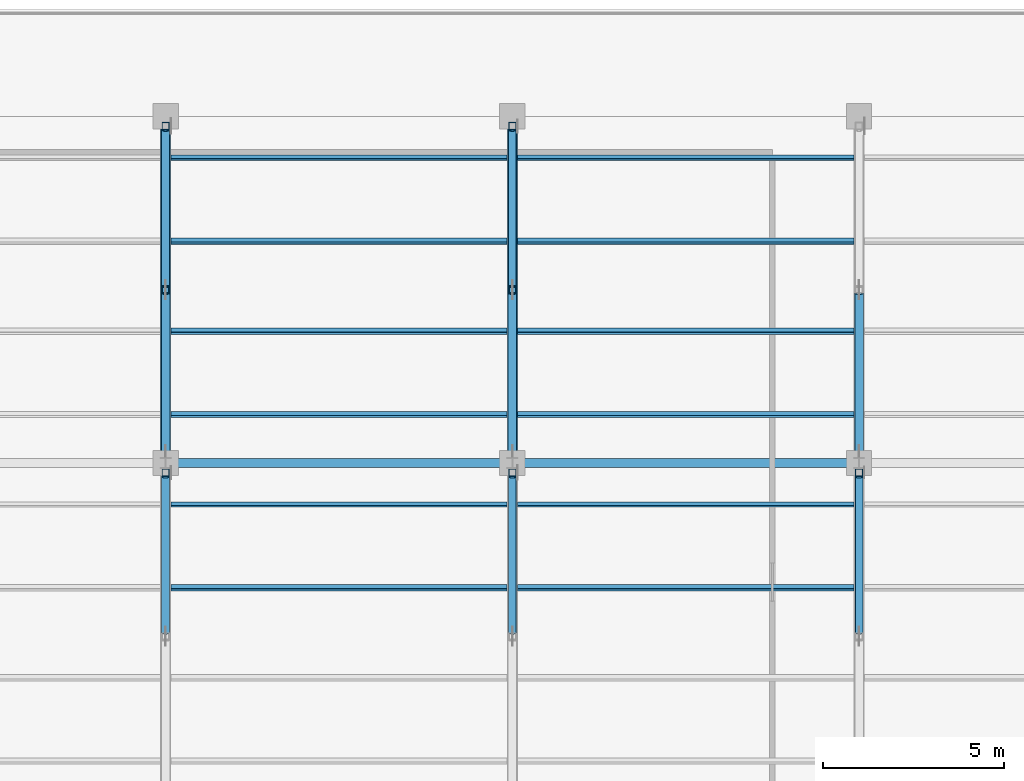
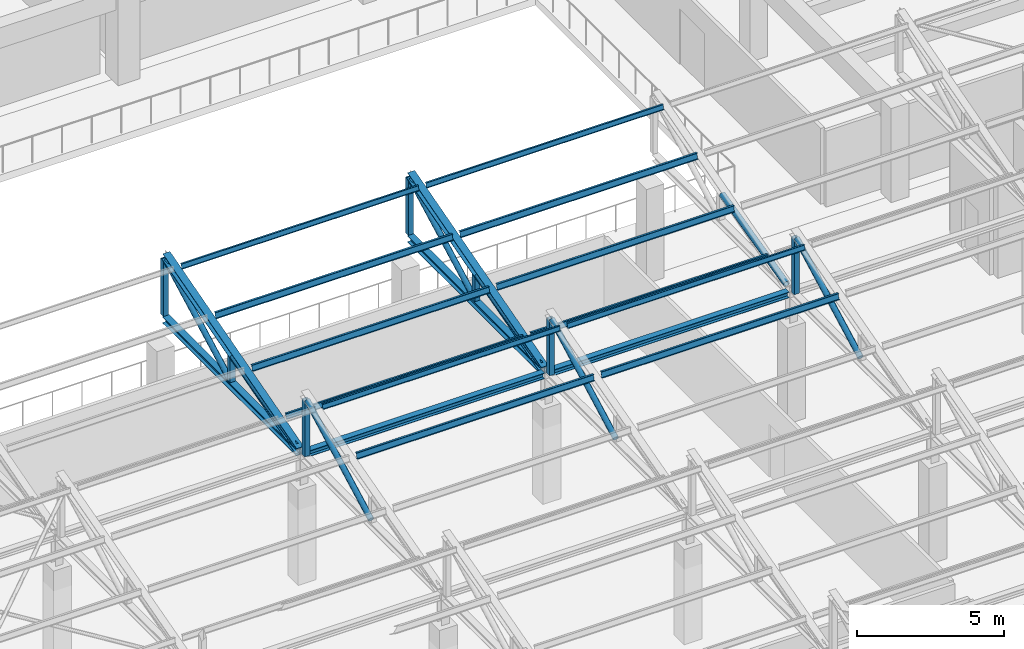
# One storey, part 23 of 71: 31 members, 2 beams.
"""IFC4 building model written with IfcOpenShell, lengths in metres."""

from ifc_helpers import new_model, si_unit, direction, frame, origin, origin_2d, place, context, subcontext, project, spatial, hollow_rectangle, hollow_circle, i_section, extrude, material, material_profile, profile_set, type_object, element, save


model = new_model("IFC4")

# Units and contexts
model_context = context("Model", 3, precision=1e-05, world=origin(), true_north=direction((0.0, 1.0)))
body_context = subcontext(model_context, "Body", "Model", "MODEL_VIEW")
ifc_project = project(units=[si_unit("LENGTHUNIT", "METRE"), si_unit("AREAUNIT", "SQUARE_METRE"), si_unit("VOLUMEUNIT", "CUBIC_METRE"), si_unit("PLANEANGLEUNIT", "RADIAN"), si_unit("MASSUNIT", "GRAM", prefix="KILO")], contexts=[model_context])

# Site, building, storey
site_placement = place(None, origin())
site = spatial("IfcSite", under=ifc_project, at=site_placement, CompositionType="ELEMENT")
building_placement = place(site_placement, origin())
building = spatial("IfcBuilding", under=site, at=building_placement, Name="Bempovik Park Faculty of Sciences", CompositionType="ELEMENT")
storey_placement = place(building_placement, frame((0.0, 0.0, 14.10009765625)))
storey = spatial("IfcBuildingStorey", under=building, at=storey_placement, Name="L03", CompositionType="ELEMENT", Elevation=14.10009765625)

# Beams
ifc_material = material(Name="Steel S355", Category="steel")
ifc_material_profile_1 = material_profile(ifc_material, i_section(OverallWidth=0.239990234375, OverallDepth=0.239990234375, WebThickness=0.010009765625, FlangeThickness=0.01708984375, at=origin_2d()), Name="HEB 240")
ifc_profile_set_1 = profile_set([ifc_material_profile_1], Name="Steel S355")
beam_type = type_object("IfcBeamType", Name="B-042 HEB 240", PredefinedType="BEAM", material=ifc_profile_set_1)
beam_1_placement = place(storey_placement, frame((79.35009765625, 58.199951171875, 5.14990234375), z_axis=(1.0, 0.0, 0.0), x_axis=(0.0, 1.0, 0.0)))
element("IfcBeam", 1, at=beam_1_placement, inside=storey, type_object=beam_type, Name="Sawtooth Valley Tie Beam V1-B5 (79.2-88.8)", PredefinedType="BEAM", context=body_context, shape_type="SweptSolid", body=[
    extrude(i_section(OverallWidth=0.239990234375, OverallDepth=0.239990234375, WebThickness=0.010009765625, FlangeThickness=0.01708984375, at=origin_2d()), origin(), (0.0, 0.0, 1.0), 9.2998046875),
])
beam_2_placement = place(storey_placement, frame((88.949951171875, 58.199951171875, 5.14990234375), z_axis=(1.0, 0.0, 0.0), x_axis=(0.0, 1.0, 0.0)))
element("IfcBeam", 2, at=beam_2_placement, inside=storey, type_object=beam_type, Name="Sawtooth Valley Tie Beam V1-B5 (88.8-98.4)", PredefinedType="BEAM", context=body_context, shape_type="SweptSolid", body=[
    extrude(i_section(OverallWidth=0.239990234375, OverallDepth=0.239990234375, WebThickness=0.010009765625, FlangeThickness=0.01708984375, at=origin_2d()), origin(), (0.0, 0.0, 1.0), 9.300048828125),
])

# Members
ifc_material_profile_2 = material_profile(ifc_material, i_section(OverallWidth=0.110107421875, OverallDepth=0.219970703125, WebThickness=0.005859375, FlangeThickness=0.00927734375, at=origin_2d()), Name="IPE 220")
ifc_profile_set_2 = profile_set([ifc_material_profile_2], Name="Steel S355")
member_type_1 = type_object("IfcMemberType", Name="M-18 IPE 220", PredefinedType="PURLIN", material=ifc_profile_set_2)
member_1_placement = place(storey_placement, frame((79.345947265625, 59.5439453125, 5.847412109375), z_axis=(1.0, 0.0, 0.0), x_axis=(0.0, 0.965925826289, -0.258819045103)))
element("IfcMember", 3, at=member_1_placement, inside=storey, type_object=member_type_1, Name="Sawtooth Roof Purlin V1-B5 (79.2-88.8) #1", PredefinedType="PURLIN", context=body_context, shape_type="SweptSolid", body=[
    extrude(i_section(OverallWidth=0.110107421875, OverallDepth=0.219970703125, WebThickness=0.005859375, FlangeThickness=0.00927734375, at=origin_2d()), origin(), (0.0, 0.0, 1.0), 9.30810546875),
])
member_2_placement = place(storey_placement, frame((88.946044921875, 59.5439453125, 5.847412109375), z_axis=(1.0, 0.0, 0.0), x_axis=(0.0, 0.965925826289, -0.258819045103)))
element("IfcMember", 4, at=member_2_placement, inside=storey, type_object=member_type_1, Name="Sawtooth Roof Purlin V1-B5 (88.8-98.4) #1", PredefinedType="PURLIN", context=body_context, shape_type="SweptSolid", body=[
    extrude(i_section(OverallWidth=0.110107421875, OverallDepth=0.219970703125, WebThickness=0.005859375, FlangeThickness=0.00927734375, at=origin_2d()), origin(), (0.0, 0.0, 1.0), 9.307861328125),
])
ifc_material_profile_3 = material_profile(ifc_material, hollow_circle(Radius=0.109619140625, WallThickness=0.010009765625, at=origin_2d()), Name="CHS 219.1x10")
ifc_profile_set_3 = profile_set([ifc_material_profile_3], Name="Steel S355")
member_type_2 = type_object("IfcMemberType", Name="M-22 CHS 219.1x10", PredefinedType="BRACE", material=ifc_profile_set_3)
for number, where, z_axis, x_axis, name in (
    (5, (79.199951171875, 53.5048828125, 5.285888671875), (0.0, 0.882198506662, 0.470877685651), (-1.0, 0.0, 0.0), "Sawtooth Web Diagonal 2 V1-B4 (79.2)"),
    (6, (88.800048828125, 53.5048828125, 5.285888671875), (0.0, 0.882198506662, 0.470877685651), (-1.0, 0.0, 0.0), "Sawtooth Web Diagonal 2 V1-B4 (88.8)"),
    (7, (98.39990234375, 53.5048828125, 5.285888671875), (0.0, 0.882198506662, 0.470877685651), (-1.0, 0.0, 0.0), "Sawtooth Web Diagonal 2 V1-B4 (98.4)"),
):
    element("IfcMember", number, at=place(storey_placement, frame(where, z_axis=z_axis, x_axis=x_axis)), inside=storey, type_object=member_type_2, Name=name, PredefinedType="BRACE", context=body_context, shape_type="SweptSolid", body=[
        extrude(hollow_circle(Radius=0.109619140625, WallThickness=0.010009765625, at=origin_2d()), origin(), (0.0, 0.0, 1.0), 4.90283203125),
    ])
for number, where, z_axis, x_axis, name in (
    (8, (79.199951171875, 63.10498046875, 5.285888671875), (0.0, 0.882187464719, 0.470898372361), (-1.0, 0.0, 0.0), "Sawtooth Web Diagonal 2 V1-B5 (79.2)"),
    (9, (88.800048828125, 63.10498046875, 5.285888671875), (0.0, 0.882187464719, 0.470898372361), (-1.0, 0.0, 0.0), "Sawtooth Web Diagonal 2 V1-B5 (88.8)"),
):
    element("IfcMember", number, at=place(storey_placement, frame(where, z_axis=z_axis, x_axis=x_axis)), inside=storey, type_object=member_type_2, Name=name, PredefinedType="BRACE", context=body_context, shape_type="SweptSolid", body=[
        extrude(hollow_circle(Radius=0.109619140625, WallThickness=0.010009765625, at=origin_2d()), origin(), (0.0, 0.0, 1.0), 4.902587890625),
    ])
ifc_material_profile_4 = material_profile(ifc_material, i_section(OverallWidth=0.280029296875, OverallDepth=0.280029296875, WebThickness=0.010498046875, FlangeThickness=0.01806640625, at=origin_2d()), Name="HEB 280")
ifc_profile_set_4 = profile_set([ifc_material_profile_4], Name="Steel S355")
member_type_3 = type_object("IfcMemberType", Name="M-26 HEB 280", PredefinedType="CHORD", material=ifc_profile_set_4)
for number, where, z_axis, x_axis, name in (
    (10, (79.199951171875, 58.35595703125, 5.212158203125), (0.0, 0.962201828539, 0.272337366434), (-1.0, 0.0, 0.0), "Sawtooth Top Rafter Chord V1-B5 (79.2)"),
    (11, (88.800048828125, 58.35595703125, 5.212158203125), (0.0, 0.962201828539, 0.272337366434), (-1.0, 0.0, 0.0), "Sawtooth Top Rafter Chord V1-B5 (88.8)"),
):
    element("IfcMember", number, at=place(storey_placement, frame(where, z_axis=z_axis, x_axis=x_axis)), inside=storey, type_object=member_type_3, Name=name, PredefinedType="CHORD", context=body_context, shape_type="SweptSolid", body=[
        extrude(i_section(OverallWidth=0.280029296875, OverallDepth=0.280029296875, WebThickness=0.010498046875, FlangeThickness=0.01806640625, at=origin_2d()), origin(), (0.0, 0.0, 1.0), 9.445068359375),
    ])
ifc_material_profile_5 = material_profile(ifc_material, hollow_rectangle(XDim=0.199951171875, YDim=0.199951171875, WallThickness=0.010009765625, at=origin_2d()), Name="SHS 200x200x10")
ifc_profile_set_5 = profile_set([ifc_material_profile_5], Name="Steel S355")
member_type_4 = type_object("IfcMemberType", Name="M-44 SHS 200x200x10", PredefinedType="POST", material=ifc_profile_set_5)
for number, where, z_axis, x_axis, name in (
    (12, (79.199951171875, 57.929931640625, 5.285888671875), (0.0, 0.0, 1.0), (1.0, 0.0, 0.0), "Sawtooth North-Light Post V1-B4 (79.2)"),
    (13, (88.800048828125, 57.929931640625, 5.285888671875), (0.0, 0.0, 1.0), (1.0, 0.0, 0.0), "Sawtooth North-Light Post V1-B4 (88.8)"),
    (14, (98.39990234375, 57.929931640625, 5.285888671875), (0.0, 0.0, 1.0), (1.0, 0.0, 0.0), "Sawtooth North-Light Post V1-B4 (98.4)"),
    (15, (79.199951171875, 67.530029296875, 5.285888671875), (0.0, 0.0, 1.0), (1.0, 0.0, 0.0), "Sawtooth North-Light Post V1-B5 (79.2)"),
):
    element("IfcMember", number, at=place(storey_placement, frame(where, z_axis=z_axis, x_axis=x_axis)), inside=storey, type_object=member_type_4, Name=name, PredefinedType="POST", context=body_context, shape_type="SweptSolid", body=[
        extrude(hollow_rectangle(XDim=0.199951171875, YDim=0.199951171875, WallThickness=0.010009765625, at=origin_2d()), origin(), (0.0, 0.0, 1.0), 2.30859375),
    ])
member_3_placement = place(storey_placement, frame((79.199951171875, 63.0, 5.285888671875), z_axis=(0.0, 0.0, 1.0), x_axis=(1.0, 0.0, 0.0)))
element("IfcMember", 16, at=member_3_placement, inside=storey, type_object=member_type_4, Name="Sawtooth Mid Post V1-B5 (79.2)", PredefinedType="POST", context=body_context, shape_type="SweptSolid", body=[
    extrude(hollow_rectangle(XDim=0.199951171875, YDim=0.199951171875, WallThickness=0.010009765625, at=origin_2d()), origin(), (0.0, 0.0, 1.0), 1.052490234375),
])
member_4_placement = place(storey_placement, frame((88.800048828125, 67.530029296875, 5.285888671875), z_axis=(0.0, 0.0, 1.0), x_axis=(1.0, 0.0, 0.0)))
element("IfcMember", 17, at=member_4_placement, inside=storey, type_object=member_type_4, Name="Sawtooth North-Light Post V1-B5 (88.8)", PredefinedType="POST", context=body_context, shape_type="SweptSolid", body=[
    extrude(hollow_rectangle(XDim=0.199951171875, YDim=0.199951171875, WallThickness=0.010009765625, at=origin_2d()), origin(), (0.0, 0.0, 1.0), 2.30859375),
])
member_5_placement = place(storey_placement, frame((88.800048828125, 63.0, 5.285888671875), z_axis=(0.0, 0.0, 1.0), x_axis=(1.0, 0.0, 0.0)))
element("IfcMember", 18, at=member_5_placement, inside=storey, type_object=member_type_4, Name="Sawtooth Mid Post V1-B5 (88.8)", PredefinedType="POST", context=body_context, shape_type="SweptSolid", body=[
    extrude(hollow_rectangle(XDim=0.199951171875, YDim=0.199951171875, WallThickness=0.010009765625, at=origin_2d()), origin(), (0.0, 0.0, 1.0), 1.052490234375),
])
ifc_material_profile_6 = material_profile(ifc_material, i_section(OverallWidth=0.10009765625, OverallDepth=0.199951171875, WebThickness=0.005615234375, FlangeThickness=0.008544921875, at=origin_2d()), Name="IPE 200")
ifc_profile_set_6 = profile_set([ifc_material_profile_6], Name="Steel S355")
member_type_5 = type_object("IfcMemberType", Name="M-48 IPE 200", PredefinedType="PURLIN", material=ifc_profile_set_6)
member_6_placement = place(storey_placement, frame((79.345947265625, 57.048095703125, 7.7607421875), z_axis=(1.0, 0.0, 0.0), x_axis=(0.0, 0.965925826289, -0.258819045103)))
element("IfcMember", 19, at=member_6_placement, inside=storey, type_object=member_type_5, Name="Sawtooth Roof Purlin V1-B4 (79.2-88.8) #4", PredefinedType="PURLIN", context=body_context, shape_type="SweptSolid", body=[
    extrude(i_section(OverallWidth=0.10009765625, OverallDepth=0.199951171875, WebThickness=0.005615234375, FlangeThickness=0.008544921875, at=origin_2d()), origin(), (0.0, 0.0, 1.0), 9.30810546875),
])
member_7_placement = place(storey_placement, frame((88.946044921875, 57.048095703125, 7.7607421875), z_axis=(1.0, 0.0, 0.0), x_axis=(0.0, 0.965925826289, -0.258819045103)))
element("IfcMember", 20, at=member_7_placement, inside=storey, type_object=member_type_5, Name="Sawtooth Roof Purlin V1-B4 (88.8-98.4) #4", PredefinedType="PURLIN", context=body_context, shape_type="SweptSolid", body=[
    extrude(i_section(OverallWidth=0.10009765625, OverallDepth=0.199951171875, WebThickness=0.005615234375, FlangeThickness=0.008544921875, at=origin_2d()), origin(), (0.0, 0.0, 1.0), 9.307861328125),
])
member_8_placement = place(storey_placement, frame((79.345947265625, 66.64794921875, 7.7607421875), z_axis=(1.0, 0.0, 0.0), x_axis=(0.0, 0.965925826289, -0.258819045103)))
element("IfcMember", 21, at=member_8_placement, inside=storey, type_object=member_type_5, Name="Sawtooth Roof Purlin V1-B5 (79.2-88.8) #4", PredefinedType="PURLIN", context=body_context, shape_type="SweptSolid", body=[
    extrude(i_section(OverallWidth=0.10009765625, OverallDepth=0.199951171875, WebThickness=0.005615234375, FlangeThickness=0.008544921875, at=origin_2d()), origin(), (0.0, 0.0, 1.0), 9.30810546875),
])
member_9_placement = place(storey_placement, frame((88.946044921875, 66.64794921875, 7.7607421875), z_axis=(1.0, 0.0, 0.0), x_axis=(0.0, 0.965925826289, -0.258819045103)))
element("IfcMember", 22, at=member_9_placement, inside=storey, type_object=member_type_5, Name="Sawtooth Roof Purlin V1-B5 (88.8-98.4) #4", PredefinedType="PURLIN", context=body_context, shape_type="SweptSolid", body=[
    extrude(i_section(OverallWidth=0.10009765625, OverallDepth=0.199951171875, WebThickness=0.005615234375, FlangeThickness=0.008544921875, at=origin_2d()), origin(), (0.0, 0.0, 1.0), 9.307861328125),
])
ifc_material_profile_7 = material_profile(ifc_material, i_section(OverallWidth=0.260009765625, OverallDepth=0.260009765625, WebThickness=0.010009765625, FlangeThickness=0.017578125, at=origin_2d()), Name="HEB 260")
ifc_profile_set_7 = profile_set([ifc_material_profile_7], Name="Steel S355")
member_type_6 = type_object("IfcMemberType", Name="M-58 HEB 260", PredefinedType="CHORD", material=ifc_profile_set_7)
for number, where, z_axis, x_axis, name in (
    (23, (79.199951171875, 58.35595703125, 5.14990234375), (0.0, 1.0, 0.0), (-1.0, 0.0, 0.0), "Sawtooth Bottom Chord V1-B5 (79.2)"),
    (24, (88.800048828125, 58.35595703125, 5.14990234375), (0.0, 1.0, 0.0), (-1.0, 0.0, 0.0), "Sawtooth Bottom Chord V1-B5 (88.8)"),
):
    element("IfcMember", number, at=place(storey_placement, frame(where, z_axis=z_axis, x_axis=x_axis)), inside=storey, type_object=member_type_6, Name=name, PredefinedType="CHORD", context=body_context, shape_type="SweptSolid", body=[
        extrude(i_section(OverallWidth=0.260009765625, OverallDepth=0.260009765625, WebThickness=0.010009765625, FlangeThickness=0.017578125, at=origin_2d()), origin(), (0.0, 0.0, 1.0), 9.088134765625),
    ])
ifc_material_profile_8 = material_profile(ifc_material, hollow_circle(Radius=0.122314453125, WallThickness=0.010009765625, at=origin_2d()), Name="CHS 244.5x10")
ifc_profile_set_8 = profile_set([ifc_material_profile_8], Name="Steel S355")
member_type_7 = type_object("IfcMemberType", Name="M-82 CHS 244.5x10", PredefinedType="BRACE", material=ifc_profile_set_8)
for number, where, z_axis, x_axis, name in (
    (25, (79.199951171875, 58.530029296875, 5.285888671875), (0.0, 0.972139485331, 0.234403116576), (-1.0, 0.0, 0.0), "Sawtooth Web Diagonal 1 V1-B5 (79.2)"),
    (26, (88.800048828125, 58.530029296875, 5.285888671875), (0.0, 0.972139485331, 0.234403116576), (-1.0, 0.0, 0.0), "Sawtooth Web Diagonal 1 V1-B5 (88.8)"),
    (27, (98.39990234375, 58.530029296875, 5.285888671875), (0.0, 0.972139485331, 0.234403116576), (-1.0, 0.0, 0.0), "Sawtooth Web Diagonal 1 V1-B5 (98.4)"),
):
    element("IfcMember", number, at=place(storey_placement, frame(where, z_axis=z_axis, x_axis=x_axis)), inside=storey, type_object=member_type_7, Name=name, PredefinedType="BRACE", context=body_context, shape_type="SweptSolid", body=[
        extrude(hollow_circle(Radius=0.122314453125, WallThickness=0.010009765625, at=origin_2d()), origin(), (0.0, 0.0, 1.0), 4.489990234375),
    ])
ifc_material_profile_9 = material_profile(ifc_material, i_section(OverallWidth=0.1201171875, OverallDepth=0.239990234375, WebThickness=0.006103515625, FlangeThickness=0.009765625, at=origin_2d()), Name="IPE 240")
ifc_profile_set_9 = profile_set([ifc_material_profile_9], Name="Steel S355")
member_type_8 = type_object("IfcMemberType", Name="M-86 IPE 240", PredefinedType="PURLIN", material=ifc_profile_set_9)
member_10_placement = place(storey_placement, frame((79.345947265625, 54.743896484375, 7.12353515625), z_axis=(1.0, 0.0, 0.0), x_axis=(0.0, 0.965925826289, -0.258819045103)))
element("IfcMember", 28, at=member_10_placement, inside=storey, type_object=member_type_8, Name="Sawtooth Roof Purlin V1-B4 (79.2-88.8) #3", PredefinedType="PURLIN", context=body_context, shape_type="SweptSolid", body=[
    extrude(i_section(OverallWidth=0.1201171875, OverallDepth=0.239990234375, WebThickness=0.006103515625, FlangeThickness=0.009765625, at=origin_2d()), origin(), (0.0, 0.0, 1.0), 9.30810546875),
])
member_11_placement = place(storey_placement, frame((88.946044921875, 54.743896484375, 7.12353515625), z_axis=(1.0, 0.0, 0.0), x_axis=(0.0, 0.965925826289, -0.258819045103)))
element("IfcMember", 29, at=member_11_placement, inside=storey, type_object=member_type_8, Name="Sawtooth Roof Purlin V1-B4 (88.8-98.4) #3", PredefinedType="PURLIN", context=body_context, shape_type="SweptSolid", body=[
    extrude(i_section(OverallWidth=0.1201171875, OverallDepth=0.239990234375, WebThickness=0.006103515625, FlangeThickness=0.009765625, at=origin_2d()), origin(), (0.0, 0.0, 1.0), 9.307861328125),
])
for number, where, z_axis, x_axis, name in (
    (30, (79.345947265625, 61.847900390625, 6.45458984375), (1.0, 0.0, 0.0), (0.0, 0.965925826289, -0.258819045103), "Sawtooth Roof Purlin V1-B5 (79.2-88.8) #2"),
    (31, (79.345947265625, 64.343994140625, 7.12353515625), (1.0, 0.0, 0.0), (0.0, 0.965925826289, -0.258819045103), "Sawtooth Roof Purlin V1-B5 (79.2-88.8) #3"),
):
    element("IfcMember", number, at=place(storey_placement, frame(where, z_axis=z_axis, x_axis=x_axis)), inside=storey, type_object=member_type_8, Name=name, PredefinedType="PURLIN", context=body_context, shape_type="SweptSolid", body=[
        extrude(i_section(OverallWidth=0.1201171875, OverallDepth=0.239990234375, WebThickness=0.006103515625, FlangeThickness=0.009765625, at=origin_2d()), origin(), (0.0, 0.0, 1.0), 9.30810546875),
    ])
for number, where, z_axis, x_axis, name in (
    (32, (88.946044921875, 61.847900390625, 6.45458984375), (1.0, 0.0, 0.0), (0.0, 0.965925826289, -0.258819045103), "Sawtooth Roof Purlin V1-B5 (88.8-98.4) #2"),
    (33, (88.946044921875, 64.343994140625, 7.12353515625), (1.0, 0.0, 0.0), (0.0, 0.965925826289, -0.258819045103), "Sawtooth Roof Purlin V1-B5 (88.8-98.4) #3"),
):
    element("IfcMember", number, at=place(storey_placement, frame(where, z_axis=z_axis, x_axis=x_axis)), inside=storey, type_object=member_type_8, Name=name, PredefinedType="PURLIN", context=body_context, shape_type="SweptSolid", body=[
        extrude(i_section(OverallWidth=0.1201171875, OverallDepth=0.239990234375, WebThickness=0.006103515625, FlangeThickness=0.009765625, at=origin_2d()), origin(), (0.0, 0.0, 1.0), 9.307861328125),
    ])

save(model, "model.ifc")
